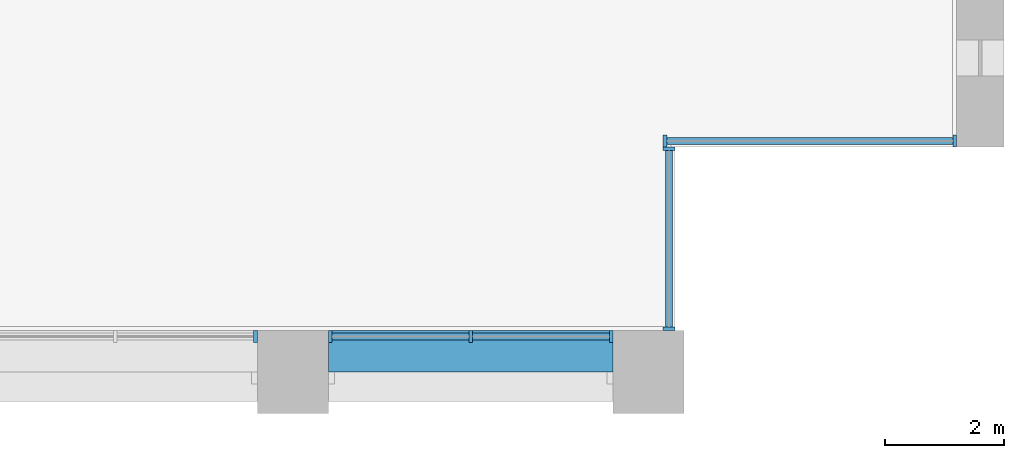
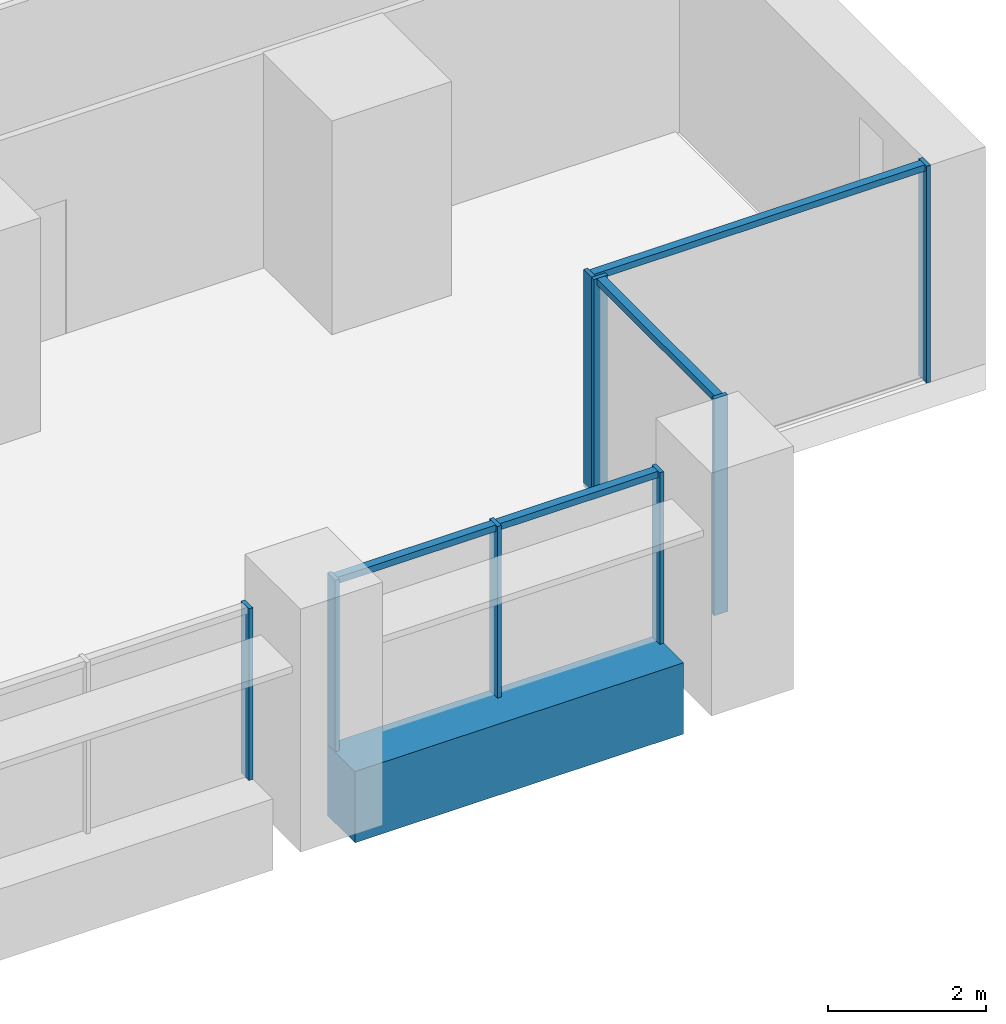
# One storey, part 5 of 18: 12 members, 1 beam, 4 elements without a shape of their own.
"""IFC4 building model written with IfcOpenShell, lengths in metres."""

from ifc_helpers import new_model, si_unit, direction, frame, origin, origin_2d, place, context, subcontext, project, spatial, rectangle, extrude, material, material_profile, profile_set, type_object, element, aggregate, save


model = new_model("IFC4")

# Units and contexts
model_context = context("Model", 3, precision=1e-05, world=origin(), true_north=direction((0.0, 1.0)))
body_context = subcontext(model_context, "Body", "Model", "MODEL_VIEW")
ifc_project = project(units=[si_unit("LENGTHUNIT", "METRE"), si_unit("AREAUNIT", "SQUARE_METRE"), si_unit("VOLUMEUNIT", "CUBIC_METRE"), si_unit("PLANEANGLEUNIT", "RADIAN"), si_unit("MASSUNIT", "GRAM", prefix="KILO")], contexts=[model_context])

# Site, building, storey
site_placement = place(None, origin())
site = spatial("IfcSite", under=ifc_project, at=site_placement, CompositionType="ELEMENT")
building_placement = place(site_placement, origin())
building = spatial("IfcBuilding", under=site, at=building_placement, Name="Calvaro Tower", CompositionType="ELEMENT")
storey_placement = place(building_placement, frame((0.0, 0.0, 41.25)))
storey = spatial("IfcBuildingStorey", under=building, at=storey_placement, Name="L09", CompositionType="ELEMENT", Elevation=41.25)

# Curtain wall, member
ifc_material_1 = material(Name="Anodised aluminium", Category="aluminium")
curtain_wall_type = type_object("IfcCurtainWallType", Name="Office curtain wall, lower zone", PredefinedType="NOTDEFINED", material=ifc_material_1)
curtain_wall_1_placement = place(storey_placement, origin())
curtain_wall_1 = element("IfcCurtainWall", 1, at=curtain_wall_1_placement, inside=storey, type_object=curtain_wall_type, Name="CW1 south curtain wall", PredefinedType="NOTDEFINED")
ifc_material_2 = material(Name="Anodised aluminium", Category="aluminium")
ifc_material_profile_1 = material_profile(ifc_material_2, rectangle(XDim=0.199951171875, YDim=0.06005859375, at=origin_2d()), Name="Mullion S1 60 x 200")
ifc_profile_set_1 = profile_set([ifc_material_profile_1], Name="Anodised aluminium")
member_type_1 = type_object("IfcMemberType", Name="Mullion S1 60 x 200", PredefinedType="MULLION", material=ifc_profile_set_1)
member_1_placement = place(storey_placement, frame((65.3701171875, 1.300048828125, 0.0), z_axis=(0.0, 0.0, 1.0), x_axis=(0.0, 1.0, 0.0)))
member_1 = element("IfcMember", 2, at=member_1_placement, type_object=member_type_1, Name="CW1 mullion 3", PredefinedType="MULLION", context=body_context, shape_type="SweptSolid", body=[
    extrude(rectangle(XDim=0.199951171875, YDim=0.06005859375, at=origin_2d()), origin(), (0.0, 0.0, 1.0), 2.64990234375),
])
aggregate(curtain_wall_1, [member_1])

# Curtain wall, members
curtain_wall_2_placement = place(storey_placement, origin())
curtain_wall_2 = element("IfcCurtainWall", 3, at=curtain_wall_2_placement, inside=storey, type_object=curtain_wall_type, Name="CW1 south curtain wall", PredefinedType="NOTDEFINED")
member_2_placement = place(storey_placement, frame((66.6298828125, 1.300048828125, 0.0), z_axis=(0.0, 0.0, 1.0), x_axis=(0.0, 1.0, 0.0)))
member_2 = element("IfcMember", 4, at=member_2_placement, type_object=member_type_1, Name="CW1 mullion 1", PredefinedType="MULLION", context=body_context, shape_type="SweptSolid", body=[
    extrude(rectangle(XDim=0.199951171875, YDim=0.06005859375, at=origin_2d()), origin(), (0.0, 0.0, 1.0), 2.64990234375),
])
member_3_placement = place(storey_placement, frame((69.0, 1.300048828125, 0.0), z_axis=(0.0, 0.0, 1.0), x_axis=(0.0, 1.0, 0.0)))
member_3 = element("IfcMember", 5, at=member_3_placement, type_object=member_type_1, Name="CW1 mullion 2", PredefinedType="MULLION", context=body_context, shape_type="SweptSolid", body=[
    extrude(rectangle(XDim=0.199951171875, YDim=0.06005859375, at=origin_2d()), origin(), (0.0, 0.0, 1.0), 2.64990234375),
])
member_4_placement = place(storey_placement, frame((71.3701171875, 1.300048828125, 0.0), z_axis=(0.0, 0.0, 1.0), x_axis=(0.0, 1.0, 0.0)))
member_4 = element("IfcMember", 6, at=member_4_placement, type_object=member_type_1, Name="CW1 mullion 3", PredefinedType="MULLION", context=body_context, shape_type="SweptSolid", body=[
    extrude(rectangle(XDim=0.199951171875, YDim=0.06005859375, at=origin_2d()), origin(), (0.0, 0.0, 1.0), 2.64990234375),
])

curtain_wall_3_placement = place(storey_placement, origin())
curtain_wall_3 = element("IfcCurtainWall", 7, at=curtain_wall_3_placement, inside=storey, type_object=curtain_wall_type, Name="CW1 corner curtain wall", PredefinedType="NOTDEFINED")
member_5_placement = place(storey_placement, frame((72.35009765625, 1.429931640625, 0.0), z_axis=(0.0, 0.0, 1.0), x_axis=(-1.0, 0.0, 0.0)))
member_5 = element("IfcMember", 8, at=member_5_placement, type_object=member_type_1, Name="CW1 mullion 1", PredefinedType="MULLION", context=body_context, shape_type="SweptSolid", body=[
    extrude(rectangle(XDim=0.199951171875, YDim=0.06005859375, at=origin_2d()), origin(), (0.0, 0.0, 1.0), 3.35009765625),
])
member_6_placement = place(storey_placement, frame((72.35009765625, 4.469970703125, 0.0), z_axis=(0.0, 0.0, 1.0), x_axis=(-1.0, 0.0, 0.0)))
member_6 = element("IfcMember", 9, at=member_6_placement, type_object=member_type_1, Name="CW1 mullion 2", PredefinedType="MULLION", context=body_context, shape_type="SweptSolid", body=[
    extrude(rectangle(XDim=0.199951171875, YDim=0.06005859375, at=origin_2d()), origin(), (0.0, 0.0, 1.0), 3.35009765625),
])

curtain_wall_4_placement = place(storey_placement, origin())
curtain_wall_4 = element("IfcCurtainWall", 10, at=curtain_wall_4_placement, inside=storey, type_object=curtain_wall_type, Name="CW1 corner curtain wall", PredefinedType="NOTDEFINED")
member_7_placement = place(storey_placement, frame((72.280029296875, 4.60009765625, 0.0), z_axis=(0.0, 0.0, 1.0), x_axis=(0.0, 1.0, 0.0)))
member_7 = element("IfcMember", 11, at=member_7_placement, type_object=member_type_1, Name="CW1 mullion 1", PredefinedType="MULLION", context=body_context, shape_type="SweptSolid", body=[
    extrude(rectangle(XDim=0.199951171875, YDim=0.06005859375, at=origin_2d()), origin(), (0.0, 0.0, 1.0), 3.35009765625),
])
member_8_placement = place(storey_placement, frame((77.169921875, 4.60009765625, 0.0), z_axis=(0.0, 0.0, 1.0), x_axis=(0.0, 1.0, 0.0)))
member_8 = element("IfcMember", 12, at=member_8_placement, type_object=member_type_1, Name="CW1 mullion 2", PredefinedType="MULLION", context=body_context, shape_type="SweptSolid", body=[
    extrude(rectangle(XDim=0.199951171875, YDim=0.06005859375, at=origin_2d()), origin(), (0.0, 0.0, 1.0), 3.35009765625),
])

# Beam
ifc_material_3 = material(Name="Concrete C50/60 precast", Category="concrete")
ifc_material_profile_2 = material_profile(ifc_material_3, rectangle(XDim=0.699951171875, YDim=1.10009765625, at=origin_2d()), Name="RC 700x1100")
ifc_profile_set_2 = profile_set([ifc_material_profile_2], Name="Concrete C50/60 precast")
beam_type = type_object("IfcBeamType", Name="Spandrel beam 700x1100 C50/60", PredefinedType="SPANDREL", material=ifc_profile_set_2)
beam_placement = place(storey_placement, frame((66.60009765625, 1.050048828125, -0.550048828125), z_axis=(1.0, 0.0, 0.0), x_axis=(0.0, 1.0, 0.0)))
element("IfcBeam", 13, at=beam_placement, inside=storey, type_object=beam_type, Name="Spandrel beam", PredefinedType="SPANDREL", context=body_context, shape_type="SweptSolid", body=[
    extrude(rectangle(XDim=0.699951171875, YDim=1.10009765625, at=origin_2d()), origin(), (0.0, 0.0, 1.0), 4.7998046875),
])

# Member
ifc_material_4 = material(Name="Anodised aluminium", Category="aluminium")
ifc_material_profile_3 = material_profile(ifc_material_4, rectangle(XDim=0.1201171875, YDim=0.10009765625, at=origin_2d()), Name="Transom S1 100 x 120")
ifc_profile_set_3 = profile_set([ifc_material_profile_3], Name="Anodised aluminium")
member_type_2 = type_object("IfcMemberType", Name="Transom S1 100 x 120", PredefinedType="USERDEFINED", material=ifc_profile_set_3)
member_9_placement = place(storey_placement, frame((66.659912109375, 1.300048828125, 2.60009765625), z_axis=(1.0, 0.0, 0.0), x_axis=(0.0, 1.0, 0.0)))
member_9 = element("IfcMember", 14, at=member_9_placement, type_object=member_type_2, Name="CW1 transom 1.1", ObjectType="TRANSOM", PredefinedType="USERDEFINED", context=body_context, shape_type="SweptSolid", body=[
    extrude(rectangle(XDim=0.1201171875, YDim=0.10009765625, at=origin_2d()), origin(), (0.0, 0.0, 1.0), 2.31005859375),
])

member_10_placement = place(storey_placement, frame((69.030029296875, 1.300048828125, 2.60009765625), z_axis=(1.0, 0.0, 0.0), x_axis=(0.0, 1.0, 0.0)))
member_10 = element("IfcMember", 15, at=member_10_placement, type_object=member_type_2, Name="CW1 transom 2.1", ObjectType="TRANSOM", PredefinedType="USERDEFINED", context=body_context, shape_type="SweptSolid", body=[
    extrude(rectangle(XDim=0.1201171875, YDim=0.10009765625, at=origin_2d()), origin(), (0.0, 0.0, 1.0), 2.31005859375),
])

aggregate(curtain_wall_2, [member_2, member_3, member_4, member_9, member_10])

member_11_placement = place(storey_placement, frame((72.35009765625, 1.4599609375, 3.300048828125), z_axis=(0.0, 1.0, 0.0), x_axis=(-1.0, 0.0, 0.0)))
member_11 = element("IfcMember", 16, at=member_11_placement, type_object=member_type_2, Name="CW1 transom 1.1", ObjectType="TRANSOM", PredefinedType="USERDEFINED", context=body_context, shape_type="SweptSolid", body=[
    extrude(rectangle(XDim=0.1201171875, YDim=0.10009765625, at=origin_2d()), origin(), (0.0, 0.0, 1.0), 2.97998046875),
])

aggregate(curtain_wall_3, [member_5, member_6, member_11])

member_12_placement = place(storey_placement, frame((72.31005859375, 4.60009765625, 3.300048828125), z_axis=(1.0, 0.0, 0.0), x_axis=(0.0, 1.0, 0.0)))
member_12 = element("IfcMember", 17, at=member_12_placement, type_object=member_type_2, Name="CW1 transom 1.1", ObjectType="TRANSOM", PredefinedType="USERDEFINED", context=body_context, shape_type="SweptSolid", body=[
    extrude(rectangle(XDim=0.1201171875, YDim=0.10009765625, at=origin_2d()), origin(), (0.0, 0.0, 1.0), 4.829833984375),
])

aggregate(curtain_wall_4, [member_7, member_8, member_12])

save(model, "model.ifc")
